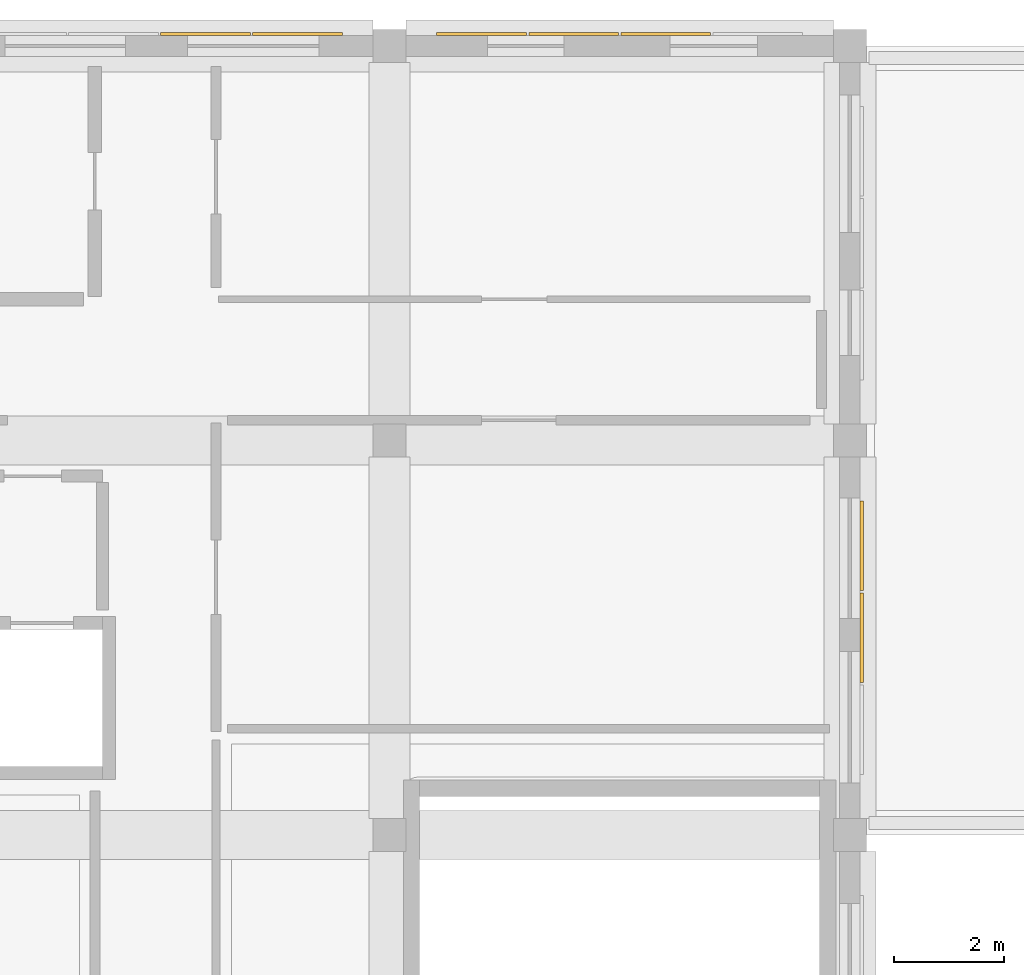
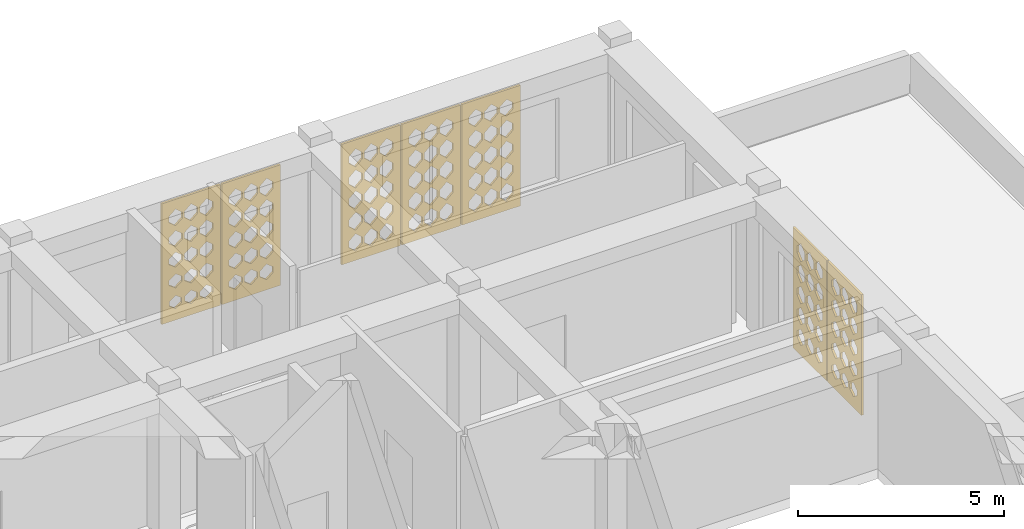
# One storey, part 27 of 28: 7 coverings.
"""IFC4 building model written with IfcOpenShell, lengths in metres."""

from ifc_helpers import new_model, si_unit, derived_unit, direction, frame, origin, place, context, subcontext, project, spatial, polyline, outline, extrude, material, layer, layer_set, type_object, element, save


model = new_model("IFC4")

# Units and contexts
model_context = context("Model", 3, precision=1e-05, world=origin(), true_north=direction((0.0, 1.0)))
body_context = subcontext(model_context, "Body", "Model", "MODEL_VIEW")
ifc_project = project(units=[si_unit("LENGTHUNIT", "METRE"), si_unit("AREAUNIT", "SQUARE_METRE"), si_unit("VOLUMEUNIT", "CUBIC_METRE"), si_unit("PLANEANGLEUNIT", "RADIAN"), si_unit("MASSUNIT", "GRAM", prefix="KILO"), derived_unit("THERMALTRANSMITTANCEUNIT", [(si_unit("POWERUNIT", "WATT"), 1), (si_unit("LENGTHUNIT", "METRE"), -2), (si_unit("THERMODYNAMICTEMPERATUREUNIT", "KELVIN"), -1)])], contexts=[model_context])

# Site, building, storey
site_placement = place(None, origin())
site = spatial("IfcSite", under=ifc_project, at=site_placement, CompositionType="ELEMENT")
building_placement = place(site_placement, origin())
building = spatial("IfcBuilding", under=site, at=building_placement, Name="Veybourne Emporium", CompositionType="ELEMENT")
storey_placement = place(building_placement, frame((0.0, 0.0, 32.10009765625)))
storey = spatial("IfcBuildingStorey", under=building, at=storey_placement, Name="L07", CompositionType="ELEMENT", Elevation=32.10009765625)

# Coverings
ifc_material = material(Name="Warm-White Perforated Aluminium Screen Alloy", Category="aluminium")
ifc_layer_1 = layer(ifc_material, 0.06005859375)
ifc_layer_set_1 = layer_set([ifc_layer_1], Name="Warm-White Perforated Aluminium Screen Alloy")
covering_type_1 = type_object("IfcCoveringType", Name="WaveScreen_SCR-01", PredefinedType="CLADDING", material=ifc_layer_set_1)
covering_1_placement = place(storey_placement, frame((50.64794921875, 41.280029296875, 1.844970703125), z_axis=(-1.0, 0.0, 0.0), x_axis=(0.0, -1.0, 0.0)))
element("IfcCovering", 1, at=covering_1_placement, inside=storey, type_object=covering_type_1, Name="L07 wave-perforated aluminium screen SCR-01 (20.1)", PredefinedType="CLADDING", context=body_context, shape_type="SweptSolid", body=[
    extrude(outline(polyline([(-0.81982421875, -1.78515625), (0.81982421875, -1.78515625), (0.81982421875, 1.78515625), (-0.81982421875, 1.78515625), (-0.81982421875, -1.78515625)]), holes=[polyline([(-0.433349609375, -1.01025390625), (-0.2470703125, -1.164794921875), (-0.2470703125, -1.339111328125), (-0.433349609375, -1.493896484375), (-0.61962890625, -1.339111328125), (-0.61962890625, -1.164794921875), (-0.433349609375, -1.01025390625)]), polyline([(-0.433349609375, -0.373291015625), (-0.2470703125, -0.53515625), (-0.2470703125, -0.716796875), (-0.433349609375, -0.878662109375), (-0.61962890625, -0.716796875), (-0.61962890625, -0.53515625), (-0.433349609375, -0.373291015625)]), polyline([(-0.433349609375, 0.261474609375), (-0.2470703125, 0.09423828125), (-0.2470703125, -0.09423828125), (-0.433349609375, -0.261474609375), (-0.61962890625, -0.09423828125), (-0.61962890625, 0.09423828125), (-0.433349609375, 0.261474609375)]), polyline([(-0.433349609375, 0.894287109375), (-0.2470703125, 0.72265625), (-0.2470703125, 0.529296875), (-0.433349609375, 0.357666015625), (-0.61962890625, 0.529296875), (-0.61962890625, 0.72265625), (-0.433349609375, 0.894287109375)]), polyline([(-0.433349609375, 1.521240234375), (-0.2470703125, 1.348876953125), (-0.2470703125, 1.155029296875), (-0.433349609375, 0.98291015625), (-0.61962890625, 1.155029296875), (-0.61962890625, 1.348876953125), (-0.433349609375, 1.521240234375)]), polyline([(0.0, -1.015380859375), (0.186279296875, -1.166748046875), (0.186279296875, -1.337158203125), (0.0, -1.488525390625), (-0.186279296875, -1.337158203125), (-0.186279296875, -1.166748046875), (0.0, -1.015380859375)]), polyline([(0.0, -0.3779296875), (0.186279296875, -0.53662109375), (0.186279296875, -0.71533203125), (0.0, -0.8740234375), (-0.186279296875, -0.71533203125), (-0.186279296875, -0.53662109375), (0.0, -0.3779296875)]), polyline([(0.0, 0.2578125), (0.186279296875, 0.0927734375), (0.186279296875, -0.0927734375), (0.0, -0.2578125), (-0.186279296875, -0.0927734375), (-0.186279296875, 0.0927734375), (0.0, 0.2578125)]), polyline([(0.0, 0.8916015625), (0.186279296875, 0.7216796875), (0.186279296875, 0.530517578125), (0.0, 0.3603515625), (-0.186279296875, 0.530517578125), (-0.186279296875, 0.7216796875), (0.0, 0.8916015625)]), polyline([(0.0, 1.521240234375), (0.186279296875, 1.348876953125), (0.186279296875, 1.155029296875), (0.0, 0.98291015625), (-0.186279296875, 1.155029296875), (-0.186279296875, 1.348876953125), (0.0, 1.521240234375)]), polyline([(0.433349609375, -1.02099609375), (0.61962890625, -1.1689453125), (0.61962890625, -1.335205078125), (0.433349609375, -1.48291015625), (0.2470703125, -1.335205078125), (0.2470703125, -1.1689453125), (0.433349609375, -1.02099609375)]), polyline([(0.433349609375, -0.3828125), (0.61962890625, -0.53857421875), (0.61962890625, -0.71337890625), (0.433349609375, -0.869140625), (0.2470703125, -0.71337890625), (0.2470703125, -0.53857421875), (0.433349609375, -0.3828125)]), polyline([(0.433349609375, 0.253662109375), (0.61962890625, 0.09130859375), (0.61962890625, -0.09130859375), (0.433349609375, -0.253662109375), (0.2470703125, -0.09130859375), (0.2470703125, 0.09130859375), (0.433349609375, 0.253662109375)]), polyline([(0.433349609375, 0.888427734375), (0.61962890625, 0.720458984375), (0.61962890625, 0.531494140625), (0.433349609375, 0.363525390625), (0.2470703125, 0.531494140625), (0.2470703125, 0.720458984375), (0.433349609375, 0.888427734375)]), polyline([(0.433349609375, 1.52099609375), (0.61962890625, 1.348876953125), (0.61962890625, 1.1552734375), (0.433349609375, 0.98291015625), (0.2470703125, 1.1552734375), (0.2470703125, 1.348876953125), (0.433349609375, 1.52099609375)])]), origin(), (0.0, 0.0, 1.0), 0.06005859375),
])
covering_2_placement = place(storey_placement, frame((47.0400390625, 50.64794921875, 1.844970703125), z_axis=(0.0, -1.0, 0.0), x_axis=(1.0, 0.0, 0.0)))
element("IfcCovering", 2, at=covering_2_placement, inside=storey, type_object=covering_type_1, Name="L07 wave-perforated aluminium screen SCR-01 (22.3)", PredefinedType="CLADDING", context=body_context, shape_type="SweptSolid", body=[
    extrude(outline(polyline([(-0.81982421875, -1.78515625), (0.81982421875, -1.78515625), (0.81982421875, 1.78515625), (-0.81982421875, 1.78515625), (-0.81982421875, -1.78515625)]), holes=[polyline([(-0.433349609375, -0.98291015625), (-0.2470703125, -1.155029296875), (-0.2470703125, -1.348876953125), (-0.433349609375, -1.521240234375), (-0.61962890625, -1.348876953125), (-0.61962890625, -1.155029296875), (-0.433349609375, -0.98291015625)]), polyline([(-0.433349609375, -0.356689453125), (-0.2470703125, -0.529052734375), (-0.2470703125, -0.722900390625), (-0.433349609375, -0.895263671875), (-0.61962890625, -0.722900390625), (-0.61962890625, -0.529052734375), (-0.433349609375, -0.356689453125)]), polyline([(-0.433349609375, 0.269287109375), (-0.2470703125, 0.096923828125), (-0.2470703125, -0.096923828125), (-0.433349609375, -0.269287109375), (-0.61962890625, -0.096923828125), (-0.61962890625, 0.096923828125), (-0.433349609375, 0.269287109375)]), polyline([(-0.433349609375, 0.891845703125), (-0.2470703125, 0.7216796875), (-0.2470703125, 0.5302734375), (-0.433349609375, 0.360107421875), (-0.61962890625, 0.5302734375), (-0.61962890625, 0.7216796875), (-0.433349609375, 0.891845703125)]), polyline([(-0.433349609375, 1.510009765625), (-0.2470703125, 1.344970703125), (-0.2470703125, 1.1591796875), (-0.433349609375, 0.993896484375), (-0.61962890625, 1.1591796875), (-0.61962890625, 1.344970703125), (-0.433349609375, 1.510009765625)]), polyline([(0.0, -0.98291015625), (0.186279296875, -1.155029296875), (0.186279296875, -1.348876953125), (0.0, -1.521240234375), (-0.186279296875, -1.348876953125), (-0.186279296875, -1.155029296875), (0.0, -0.98291015625)]), polyline([(0.0, -0.356689453125), (0.186279296875, -0.529052734375), (0.186279296875, -0.722900390625), (0.0, -0.895263671875), (-0.186279296875, -0.722900390625), (-0.186279296875, -0.529052734375), (0.0, -0.356689453125)]), polyline([(0.0, 0.26904296875), (0.186279296875, 0.096923828125), (0.186279296875, -0.096923828125), (0.0, -0.26904296875), (-0.186279296875, -0.096923828125), (-0.186279296875, 0.096923828125), (0.0, 0.26904296875)]), polyline([(0.0, 0.888671875), (0.186279296875, 0.720458984375), (0.186279296875, 0.531494140625), (0.0, 0.36328125), (-0.186279296875, 0.531494140625), (-0.186279296875, 0.720458984375), (0.0, 0.888671875)]), polyline([(0.0, 1.506103515625), (0.186279296875, 1.343505859375), (0.186279296875, 1.16064453125), (0.0, 0.998046875), (-0.186279296875, 1.16064453125), (-0.186279296875, 1.343505859375), (0.0, 1.506103515625)]), polyline([(0.433349609375, -0.98291015625), (0.61962890625, -1.155029296875), (0.61962890625, -1.348876953125), (0.433349609375, -1.521240234375), (0.2470703125, -1.348876953125), (0.2470703125, -1.155029296875), (0.433349609375, -0.98291015625)]), polyline([(0.433349609375, -0.356689453125), (0.61962890625, -0.529052734375), (0.61962890625, -0.722900390625), (0.433349609375, -0.895263671875), (0.2470703125, -0.722900390625), (0.2470703125, -0.529052734375), (0.433349609375, -0.356689453125)]), polyline([(0.433349609375, 0.2666015625), (0.61962890625, 0.095947265625), (0.61962890625, -0.095947265625), (0.433349609375, -0.2666015625), (0.2470703125, -0.095947265625), (0.2470703125, 0.095947265625), (0.433349609375, 0.2666015625)]), polyline([(0.433349609375, 0.885009765625), (0.61962890625, 0.71923828125), (0.61962890625, 0.53271484375), (0.433349609375, 0.366943359375), (0.2470703125, 0.53271484375), (0.2470703125, 0.71923828125), (0.433349609375, 0.885009765625)]), polyline([(0.433349609375, 1.50146484375), (0.61962890625, 1.341796875), (0.61962890625, 1.162109375), (0.433349609375, 1.00244140625), (0.2470703125, 1.162109375), (0.2470703125, 1.341796875), (0.433349609375, 1.50146484375)])]), origin(), (0.0, 0.0, 1.0), 0.06005859375),
])
ifc_layer_2 = layer(ifc_material, 0.06005859375)
ifc_layer_set_2 = layer_set([ifc_layer_2], Name="Warm-White Perforated Aluminium Screen Alloy")
covering_type_2 = type_object("IfcCoveringType", Name="WaveScreen_SCR-02", PredefinedType="CLADDING", material=ifc_layer_set_2)
covering_3_placement = place(storey_placement, frame((38.639892578125, 50.64794921875, 1.844970703125), z_axis=(0.0, -1.0, 0.0), x_axis=(1.0, 0.0, 0.0)))
element("IfcCovering", 3, at=covering_3_placement, inside=storey, type_object=covering_type_2, Name="L07 wave-perforated aluminium screen SCR-02 (15.3)", PredefinedType="CLADDING", context=body_context, shape_type="SweptSolid", body=[
    extrude(outline(polyline([(-0.81982421875, -1.78515625), (0.81982421875, -1.78515625), (0.81982421875, 1.78515625), (-0.81982421875, 1.78515625), (-0.81982421875, -1.78515625)]), holes=[polyline([(-0.433349609375, -1.05859375), (-0.26513671875, -1.182373046875), (-0.26513671875, -1.321533203125), (-0.433349609375, -1.4453125), (-0.6015625, -1.321533203125), (-0.6015625, -1.182373046875), (-0.433349609375, -1.05859375)]), polyline([(-0.433349609375, -0.418212890625), (-0.25341796875, -0.55126953125), (-0.25341796875, -0.70068359375), (-0.433349609375, -0.833740234375), (-0.61328125, -0.70068359375), (-0.61328125, -0.55126953125), (-0.433349609375, -0.418212890625)]), polyline([(-0.433349609375, 0.2216796875), (-0.2470703125, 0.079833984375), (-0.2470703125, -0.079833984375), (-0.433349609375, -0.2216796875), (-0.61962890625, -0.079833984375), (-0.61962890625, 0.079833984375), (-0.433349609375, 0.2216796875)]), polyline([(-0.433349609375, 0.860595703125), (-0.2470703125, 0.71044921875), (-0.2470703125, 0.54150390625), (-0.433349609375, 0.391357421875), (-0.61962890625, 0.54150390625), (-0.61962890625, 0.71044921875), (-0.433349609375, 0.860595703125)]), polyline([(-0.433349609375, 1.498291015625), (-0.2470703125, 1.3408203125), (-0.2470703125, 1.163330078125), (-0.433349609375, 1.005615234375), (-0.61962890625, 1.163330078125), (-0.61962890625, 1.3408203125), (-0.433349609375, 1.498291015625)]), polyline([(0.0, -1.05224609375), (0.17333984375, -1.18017578125), (0.17333984375, -1.323974609375), (0.0, -1.45166015625), (-0.17333984375, -1.323974609375), (-0.17333984375, -1.18017578125), (0.0, -1.05224609375)]), polyline([(0.0, -0.412109375), (0.18505859375, -0.549072265625), (0.18505859375, -0.702880859375), (0.0, -0.83984375), (-0.18505859375, -0.702880859375), (-0.18505859375, -0.549072265625), (0.0, -0.412109375)]), polyline([(0.0, 0.2275390625), (0.186279296875, 0.081787109375), (0.186279296875, -0.081787109375), (0.0, -0.2275390625), (-0.186279296875, -0.081787109375), (-0.186279296875, 0.081787109375), (0.0, 0.2275390625)]), polyline([(0.0, 0.865966796875), (0.186279296875, 0.71240234375), (0.186279296875, 0.53955078125), (0.0, 0.385986328125), (-0.186279296875, 0.53955078125), (-0.186279296875, 0.71240234375), (0.0, 0.865966796875)]), polyline([(0.0, 1.5029296875), (0.186279296875, 1.34228515625), (0.186279296875, 1.16162109375), (0.0, 1.0009765625), (-0.186279296875, 1.16162109375), (-0.186279296875, 1.34228515625), (0.0, 1.5029296875)]), polyline([(0.433349609375, -1.0458984375), (0.612060546875, -1.177734375), (0.612060546875, -1.326171875), (0.433349609375, -1.4580078125), (0.254638671875, -1.326171875), (0.254638671875, -1.177734375), (0.433349609375, -1.0458984375)]), polyline([(0.433349609375, -0.406005859375), (0.61962890625, -0.546875), (0.61962890625, -0.705078125), (0.433349609375, -0.84619140625), (0.2470703125, -0.705078125), (0.2470703125, -0.546875), (0.433349609375, -0.406005859375)]), polyline([(0.433349609375, 0.233154296875), (0.61962890625, 0.083984375), (0.61962890625, -0.083984375), (0.433349609375, -0.233154296875), (0.2470703125, -0.083984375), (0.2470703125, 0.083984375), (0.433349609375, 0.233154296875)]), polyline([(0.433349609375, 0.87109375), (0.61962890625, 0.714111328125), (0.61962890625, 0.537841796875), (0.433349609375, 0.380859375), (0.2470703125, 0.537841796875), (0.2470703125, 0.714111328125), (0.433349609375, 0.87109375)]), polyline([(0.433349609375, 1.50732421875), (0.61962890625, 1.343994140625), (0.61962890625, 1.16015625), (0.433349609375, 0.99658203125), (0.2470703125, 1.16015625), (0.2470703125, 1.343994140625), (0.433349609375, 1.50732421875)])]), origin(), (0.0, 0.0, 1.0), 0.06005859375),
])
covering_4_placement = place(storey_placement, frame((50.64794921875, 39.60009765625, 1.844970703125), z_axis=(-1.0, 0.0, 0.0), x_axis=(0.0, -1.0, 0.0)))
element("IfcCovering", 4, at=covering_4_placement, inside=storey, type_object=covering_type_2, Name="L07 wave-perforated aluminium screen SCR-02 (20.2)", PredefinedType="CLADDING", context=body_context, shape_type="SweptSolid", body=[
    extrude(outline(polyline([(-0.81982421875, -1.78515625), (0.81982421875, -1.78515625), (0.81982421875, 1.78515625), (-0.81982421875, 1.78515625), (-0.81982421875, -1.78515625)]), holes=[polyline([(-0.433349609375, -1.031982421875), (-0.2470703125, -1.1728515625), (-0.2470703125, -1.331298828125), (-0.433349609375, -1.471923828125), (-0.61962890625, -1.331298828125), (-0.61962890625, -1.1728515625), (-0.433349609375, -1.031982421875)]), polyline([(-0.433349609375, -0.39306640625), (-0.2470703125, -0.5419921875), (-0.2470703125, -0.7099609375), (-0.433349609375, -0.85888671875), (-0.61962890625, -0.7099609375), (-0.61962890625, -0.5419921875), (-0.433349609375, -0.39306640625)]), polyline([(-0.433349609375, 0.2451171875), (-0.2470703125, 0.088134765625), (-0.2470703125, -0.088134765625), (-0.433349609375, -0.2451171875), (-0.61962890625, -0.088134765625), (-0.61962890625, 0.088134765625), (-0.433349609375, 0.2451171875)]), polyline([(-0.433349609375, 0.88134765625), (-0.2470703125, 0.718017578125), (-0.2470703125, 0.5341796875), (-0.433349609375, 0.37060546875), (-0.61962890625, 0.5341796875), (-0.61962890625, 0.718017578125), (-0.433349609375, 0.88134765625)]), polyline([(-0.433349609375, 1.515625), (-0.2470703125, 1.346923828125), (-0.2470703125, 1.156982421875), (-0.433349609375, 0.98828125), (-0.61962890625, 1.156982421875), (-0.61962890625, 1.346923828125), (-0.433349609375, 1.515625)]), polyline([(0.0, -1.0380859375), (0.184814453125, -1.175048828125), (0.184814453125, -1.3291015625), (0.0, -1.4658203125), (-0.184814453125, -1.3291015625), (-0.184814453125, -1.175048828125), (0.0, -1.0380859375)]), polyline([(0.0, -0.398681640625), (0.186279296875, -0.544189453125), (0.186279296875, -0.707763671875), (0.0, -0.853271484375), (-0.186279296875, -0.707763671875), (-0.186279296875, -0.544189453125), (0.0, -0.398681640625)]), polyline([(0.0, 0.23974609375), (0.186279296875, 0.086181640625), (0.186279296875, -0.086181640625), (0.0, -0.23974609375), (-0.186279296875, -0.086181640625), (-0.186279296875, 0.086181640625), (0.0, 0.23974609375)]), polyline([(0.0, 0.876953125), (0.186279296875, 0.71630859375), (0.186279296875, 0.53564453125), (0.0, 0.375), (-0.186279296875, 0.53564453125), (-0.186279296875, 0.71630859375), (0.0, 0.876953125)]), polyline([(0.0, 1.51220703125), (0.186279296875, 1.345703125), (0.186279296875, 1.158203125), (0.0, 0.99169921875), (-0.186279296875, 1.158203125), (-0.186279296875, 1.345703125), (0.0, 1.51220703125)]), polyline([(0.433349609375, -1.04443359375), (0.613037109375, -1.17724609375), (0.613037109375, -1.32666015625), (0.433349609375, -1.45947265625), (0.253662109375, -1.32666015625), (0.253662109375, -1.17724609375), (0.433349609375, -1.04443359375)]), polyline([(0.433349609375, -0.404541015625), (0.61962890625, -0.54638671875), (0.61962890625, -0.705810546875), (0.433349609375, -0.847412109375), (0.2470703125, -0.705810546875), (0.2470703125, -0.54638671875), (0.433349609375, -0.404541015625)]), polyline([(0.433349609375, 0.234375), (0.61962890625, 0.08447265625), (0.61962890625, -0.08447265625), (0.433349609375, -0.234375), (0.2470703125, -0.08447265625), (0.2470703125, 0.08447265625), (0.433349609375, 0.234375)]), polyline([(0.433349609375, 0.872314453125), (0.61962890625, 0.714599609375), (0.61962890625, 0.537353515625), (0.433349609375, 0.3798828125), (0.2470703125, 0.537353515625), (0.2470703125, 0.714599609375), (0.433349609375, 0.872314453125)]), polyline([(0.433349609375, 1.50830078125), (0.61962890625, 1.34423828125), (0.61962890625, 1.15966796875), (0.433349609375, 0.99560546875), (0.2470703125, 1.15966796875), (0.2470703125, 1.34423828125), (0.433349609375, 1.50830078125)])]), origin(), (0.0, 0.0, 1.0), 0.06005859375),
])
ifc_layer_3 = layer(ifc_material, 0.06005859375)
ifc_layer_set_3 = layer_set([ifc_layer_3], Name="Warm-White Perforated Aluminium Screen Alloy")
covering_type_3 = type_object("IfcCoveringType", Name="WaveScreen_SCR-03", PredefinedType="CLADDING", material=ifc_layer_set_3)
covering_5_placement = place(storey_placement, frame((40.320068359375, 50.64794921875, 1.844970703125), z_axis=(0.0, -1.0, 0.0), x_axis=(1.0, 0.0, 0.0)))
element("IfcCovering", 5, at=covering_5_placement, inside=storey, type_object=covering_type_3, Name="L07 wave-perforated aluminium screen SCR-03 (15.4)", PredefinedType="CLADDING", context=body_context, shape_type="SweptSolid", body=[
    extrude(outline(polyline([(-0.81982421875, -1.78515625), (0.81982421875, -1.78515625), (0.81982421875, 1.78515625), (-0.81982421875, 1.78515625), (-0.81982421875, -1.78515625)]), holes=[polyline([(-0.433349609375, -1.0341796875), (-0.2470703125, -1.173583984375), (-0.2470703125, -1.330322265625), (-0.433349609375, -1.4697265625), (-0.61962890625, -1.330322265625), (-0.61962890625, -1.173583984375), (-0.433349609375, -1.0341796875)]), polyline([(-0.433349609375, -0.39501953125), (-0.2470703125, -0.542724609375), (-0.2470703125, -0.709228515625), (-0.433349609375, -0.857177734375), (-0.61962890625, -0.709228515625), (-0.61962890625, -0.542724609375), (-0.433349609375, -0.39501953125)]), polyline([(-0.433349609375, 0.243408203125), (-0.2470703125, 0.087646484375), (-0.2470703125, -0.087646484375), (-0.433349609375, -0.243408203125), (-0.61962890625, -0.087646484375), (-0.61962890625, 0.087646484375), (-0.433349609375, 0.243408203125)]), polyline([(-0.433349609375, 0.8798828125), (-0.2470703125, 0.71728515625), (-0.2470703125, 0.53466796875), (-0.433349609375, 0.372314453125), (-0.61962890625, 0.53466796875), (-0.61962890625, 0.71728515625), (-0.433349609375, 0.8798828125)]), polyline([(-0.433349609375, 1.514404296875), (-0.2470703125, 1.346435546875), (-0.2470703125, 1.157470703125), (-0.433349609375, 0.989501953125), (-0.61962890625, 1.157470703125), (-0.61962890625, 1.346435546875), (-0.433349609375, 1.514404296875)]), polyline([(0.0, -1.028076171875), (0.186279296875, -1.17138671875), (0.186279296875, -1.33251953125), (0.0, -1.475830078125), (-0.186279296875, -1.33251953125), (-0.186279296875, -1.17138671875), (0.0, -1.028076171875)]), polyline([(0.0, -0.389404296875), (0.186279296875, -0.540771484375), (0.186279296875, -0.711181640625), (0.0, -0.86279296875), (-0.186279296875, -0.711181640625), (-0.186279296875, -0.540771484375), (0.0, -0.389404296875)]), polyline([(0.0, 0.248291015625), (0.186279296875, 0.08935546875), (0.186279296875, -0.08935546875), (0.0, -0.248291015625), (-0.186279296875, -0.08935546875), (-0.186279296875, 0.08935546875), (0.0, 0.248291015625)]), polyline([(0.0, 0.8837890625), (0.186279296875, 0.718994140625), (0.186279296875, 0.533203125), (0.0, 0.3681640625), (-0.186279296875, 0.533203125), (-0.186279296875, 0.718994140625), (0.0, 0.8837890625)]), polyline([(0.0, 1.517578125), (0.186279296875, 1.34765625), (0.186279296875, 1.15625), (0.0, 0.986328125), (-0.186279296875, 1.15625), (-0.186279296875, 1.34765625), (0.0, 1.517578125)]), polyline([(0.433349609375, -1.022216796875), (0.61962890625, -1.169189453125), (0.61962890625, -1.334716796875), (0.433349609375, -1.481689453125), (0.2470703125, -1.334716796875), (0.2470703125, -1.169189453125), (0.433349609375, -1.022216796875)]), polyline([(0.433349609375, -0.384033203125), (0.61962890625, -0.538818359375), (0.61962890625, -0.713134765625), (0.433349609375, -0.867919921875), (0.2470703125, -0.713134765625), (0.2470703125, -0.538818359375), (0.433349609375, -0.384033203125)]), polyline([(0.433349609375, 0.252685546875), (0.61962890625, 0.091064453125), (0.61962890625, -0.091064453125), (0.433349609375, -0.252685546875), (0.2470703125, -0.091064453125), (0.2470703125, 0.091064453125), (0.433349609375, 0.252685546875)]), polyline([(0.433349609375, 0.8876953125), (0.61962890625, 0.72021484375), (0.61962890625, 0.53173828125), (0.433349609375, 0.3642578125), (0.2470703125, 0.53173828125), (0.2470703125, 0.72021484375), (0.433349609375, 0.8876953125)]), polyline([(0.433349609375, 1.5205078125), (0.61962890625, 1.3486328125), (0.61962890625, 1.155517578125), (0.433349609375, 0.983642578125), (0.2470703125, 1.155517578125), (0.2470703125, 1.3486328125), (0.433349609375, 1.5205078125)])]), origin(), (0.0, 0.0, 1.0), 0.06005859375),
])
covering_6_placement = place(storey_placement, frame((43.679931640625, 50.64794921875, 1.844970703125), z_axis=(0.0, -1.0, 0.0), x_axis=(1.0, 0.0, 0.0)))
element("IfcCovering", 6, at=covering_6_placement, inside=storey, type_object=covering_type_3, Name="L07 wave-perforated aluminium screen SCR-03 (22.1)", PredefinedType="CLADDING", context=body_context, shape_type="SweptSolid", body=[
    extrude(outline(polyline([(-0.81982421875, -1.78515625), (0.81982421875, -1.78515625), (0.81982421875, 1.78515625), (-0.81982421875, 1.78515625), (-0.81982421875, -1.78515625)]), holes=[polyline([(-0.433349609375, -0.993896484375), (-0.2470703125, -1.1591796875), (-0.2470703125, -1.344970703125), (-0.433349609375, -1.510009765625), (-0.61962890625, -1.344970703125), (-0.61962890625, -1.1591796875), (-0.433349609375, -0.993896484375)]), polyline([(-0.433349609375, -0.3603515625), (-0.2470703125, -0.5302734375), (-0.2470703125, -0.7216796875), (-0.433349609375, -0.8916015625), (-0.61962890625, -0.7216796875), (-0.61962890625, -0.5302734375), (-0.433349609375, -0.3603515625)]), polyline([(-0.433349609375, 0.269287109375), (-0.2470703125, 0.096923828125), (-0.2470703125, -0.096923828125), (-0.433349609375, -0.269287109375), (-0.61962890625, -0.096923828125), (-0.61962890625, 0.096923828125), (-0.433349609375, 0.269287109375)]), polyline([(-0.433349609375, 0.895263671875), (-0.2470703125, 0.722900390625), (-0.2470703125, 0.529052734375), (-0.433349609375, 0.356689453125), (-0.61962890625, 0.529052734375), (-0.61962890625, 0.722900390625), (-0.433349609375, 0.895263671875)]), polyline([(-0.433349609375, 1.521240234375), (-0.2470703125, 1.348876953125), (-0.2470703125, 1.155029296875), (-0.433349609375, 0.98291015625), (-0.61962890625, 1.155029296875), (-0.61962890625, 1.348876953125), (-0.433349609375, 1.521240234375)]), polyline([(0.0, -0.990234375), (0.186279296875, -1.15771484375), (0.186279296875, -1.34619140625), (0.0, -1.513671875), (-0.186279296875, -1.34619140625), (-0.186279296875, -1.15771484375), (0.0, -0.990234375)]), polyline([(0.0, -0.357421875), (0.186279296875, -0.529296875), (0.186279296875, -0.72265625), (0.0, -0.89453125), (-0.186279296875, -0.72265625), (-0.186279296875, -0.529296875), (0.0, -0.357421875)]), polyline([(0.0, 0.269287109375), (0.186279296875, 0.096923828125), (0.186279296875, -0.096923828125), (0.0, -0.269287109375), (-0.186279296875, -0.096923828125), (-0.186279296875, 0.096923828125), (0.0, 0.269287109375)]), polyline([(0.0, 0.895263671875), (0.186279296875, 0.722900390625), (0.186279296875, 0.529052734375), (0.0, 0.356689453125), (-0.186279296875, 0.529052734375), (-0.186279296875, 0.722900390625), (0.0, 0.895263671875)]), polyline([(0.0, 1.521240234375), (0.186279296875, 1.348876953125), (0.186279296875, 1.155029296875), (0.0, 0.98291015625), (-0.186279296875, 1.155029296875), (-0.186279296875, 1.348876953125), (0.0, 1.521240234375)]), polyline([(0.433349609375, -0.987060546875), (0.61962890625, -1.156494140625), (0.61962890625, -1.347412109375), (0.433349609375, -1.51708984375), (0.2470703125, -1.347412109375), (0.2470703125, -1.156494140625), (0.433349609375, -0.987060546875)]), polyline([(0.433349609375, -0.356689453125), (0.61962890625, -0.529052734375), (0.61962890625, -0.722900390625), (0.433349609375, -0.895263671875), (0.2470703125, -0.722900390625), (0.2470703125, -0.529052734375), (0.433349609375, -0.356689453125)]), polyline([(0.433349609375, 0.269287109375), (0.61962890625, 0.096923828125), (0.61962890625, -0.096923828125), (0.433349609375, -0.269287109375), (0.2470703125, -0.096923828125), (0.2470703125, 0.096923828125), (0.433349609375, 0.269287109375)]), polyline([(0.433349609375, 0.895263671875), (0.61962890625, 0.722900390625), (0.61962890625, 0.529052734375), (0.433349609375, 0.356689453125), (0.2470703125, 0.529052734375), (0.2470703125, 0.722900390625), (0.433349609375, 0.895263671875)]), polyline([(0.433349609375, 1.521240234375), (0.61962890625, 1.348876953125), (0.61962890625, 1.155029296875), (0.433349609375, 0.98291015625), (0.2470703125, 1.155029296875), (0.2470703125, 1.348876953125), (0.433349609375, 1.521240234375)])]), origin(), (0.0, 0.0, 1.0), 0.06005859375),
])
ifc_layer_4 = layer(ifc_material, 0.06005859375)
ifc_layer_set_4 = layer_set([ifc_layer_4], Name="Warm-White Perforated Aluminium Screen Alloy")
covering_type_4 = type_object("IfcCoveringType", Name="WaveScreen_SCR-04", PredefinedType="CLADDING", material=ifc_layer_set_4)
covering_7_placement = place(storey_placement, frame((45.360107421875, 50.64794921875, 1.844970703125), z_axis=(0.0, -1.0, 0.0), x_axis=(1.0, 0.0, 0.0)))
element("IfcCovering", 7, at=covering_7_placement, inside=storey, type_object=covering_type_4, Name="L07 wave-perforated aluminium screen SCR-04 (22.2)", PredefinedType="CLADDING", context=body_context, shape_type="SweptSolid", body=[
    extrude(outline(polyline([(-0.81982421875, -1.78515625), (0.81982421875, -1.78515625), (0.81982421875, 1.78515625), (-0.81982421875, 1.78515625), (-0.81982421875, -1.78515625)]), holes=[polyline([(-0.433349609375, -0.98291015625), (-0.2470703125, -1.155029296875), (-0.2470703125, -1.348876953125), (-0.433349609375, -1.521240234375), (-0.61962890625, -1.348876953125), (-0.61962890625, -1.155029296875), (-0.433349609375, -0.98291015625)]), polyline([(-0.433349609375, -0.356689453125), (-0.2470703125, -0.529052734375), (-0.2470703125, -0.722900390625), (-0.433349609375, -0.895263671875), (-0.61962890625, -0.722900390625), (-0.61962890625, -0.529052734375), (-0.433349609375, -0.356689453125)]), polyline([(-0.433349609375, 0.269287109375), (-0.2470703125, 0.096923828125), (-0.2470703125, -0.096923828125), (-0.433349609375, -0.269287109375), (-0.61962890625, -0.096923828125), (-0.61962890625, 0.096923828125), (-0.433349609375, 0.269287109375)]), polyline([(-0.433349609375, 0.895263671875), (-0.2470703125, 0.722900390625), (-0.2470703125, 0.529052734375), (-0.433349609375, 0.356689453125), (-0.61962890625, 0.529052734375), (-0.61962890625, 0.722900390625), (-0.433349609375, 0.895263671875)]), polyline([(-0.433349609375, 1.521240234375), (-0.2470703125, 1.348876953125), (-0.2470703125, 1.155029296875), (-0.433349609375, 0.98291015625), (-0.61962890625, 1.155029296875), (-0.61962890625, 1.348876953125), (-0.433349609375, 1.521240234375)]), polyline([(0.0, -0.98291015625), (0.186279296875, -1.155029296875), (0.186279296875, -1.348876953125), (0.0, -1.521240234375), (-0.186279296875, -1.348876953125), (-0.186279296875, -1.155029296875), (0.0, -0.98291015625)]), polyline([(0.0, -0.356689453125), (0.186279296875, -0.529052734375), (0.186279296875, -0.722900390625), (0.0, -0.895263671875), (-0.186279296875, -0.722900390625), (-0.186279296875, -0.529052734375), (0.0, -0.356689453125)]), polyline([(0.0, 0.269287109375), (0.186279296875, 0.096923828125), (0.186279296875, -0.096923828125), (0.0, -0.269287109375), (-0.186279296875, -0.096923828125), (-0.186279296875, 0.096923828125), (0.0, 0.269287109375)]), polyline([(0.0, 0.895263671875), (0.186279296875, 0.722900390625), (0.186279296875, 0.529052734375), (0.0, 0.356689453125), (-0.186279296875, 0.529052734375), (-0.186279296875, 0.722900390625), (0.0, 0.895263671875)]), polyline([(0.0, 1.51953125), (0.186279296875, 1.348388671875), (0.186279296875, 1.15576171875), (0.0, 0.984375), (-0.186279296875, 1.15576171875), (-0.186279296875, 1.348388671875), (0.0, 1.51953125)]), polyline([(0.433349609375, -0.98291015625), (0.61962890625, -1.155029296875), (0.61962890625, -1.348876953125), (0.433349609375, -1.521240234375), (0.2470703125, -1.348876953125), (0.2470703125, -1.155029296875), (0.433349609375, -0.98291015625)]), polyline([(0.433349609375, -0.356689453125), (0.61962890625, -0.529052734375), (0.61962890625, -0.722900390625), (0.433349609375, -0.895263671875), (0.2470703125, -0.722900390625), (0.2470703125, -0.529052734375), (0.433349609375, -0.356689453125)]), polyline([(0.433349609375, 0.269287109375), (0.61962890625, 0.096923828125), (0.61962890625, -0.096923828125), (0.433349609375, -0.269287109375), (0.2470703125, -0.096923828125), (0.2470703125, 0.096923828125), (0.433349609375, 0.269287109375)]), polyline([(0.433349609375, 0.895263671875), (0.61962890625, 0.722900390625), (0.61962890625, 0.529052734375), (0.433349609375, 0.356689453125), (0.2470703125, 0.529052734375), (0.2470703125, 0.722900390625), (0.433349609375, 0.895263671875)]), polyline([(0.433349609375, 1.5166015625), (0.61962890625, 1.347412109375), (0.61962890625, 1.15673828125), (0.433349609375, 0.9873046875), (0.2470703125, 1.15673828125), (0.2470703125, 1.347412109375), (0.433349609375, 1.5166015625)])]), origin(), (0.0, 0.0, 1.0), 0.06005859375),
])

save(model, "model.ifc")
